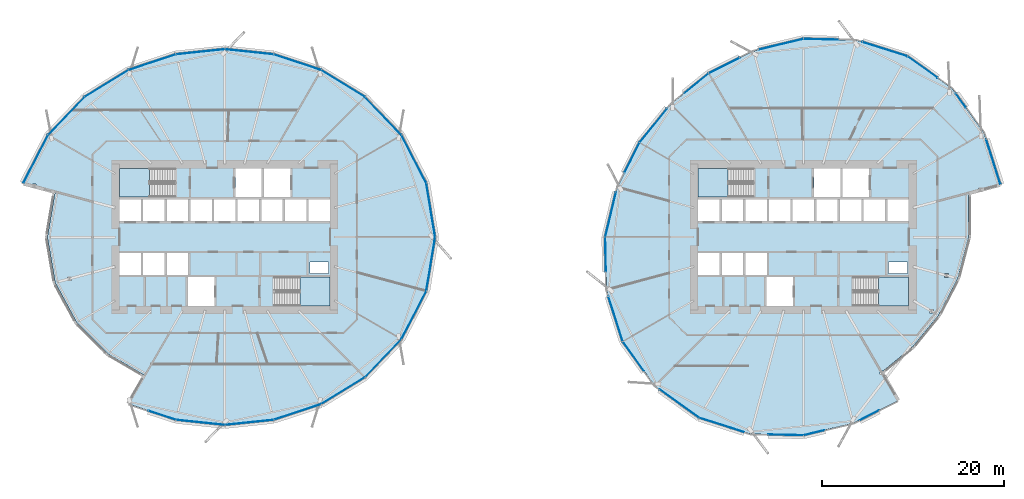
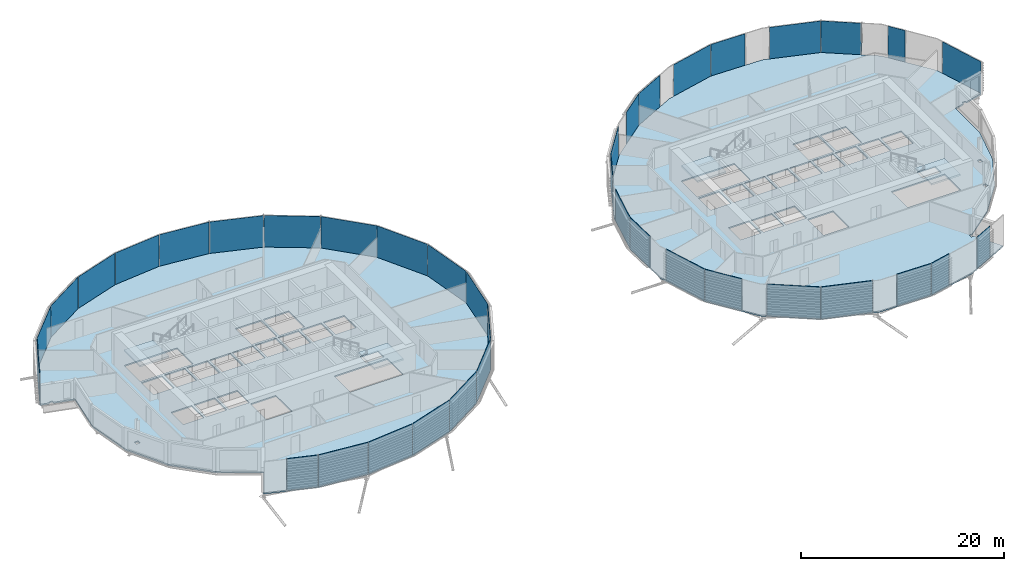
# One storey, part 20 of 37: 38 plates, 6 slabs, 6 elements without a shape of their own.
"""IFC4 building model written with IfcOpenShell, lengths in metres."""

from ifc_helpers import new_model, si_unit, direction, frame, origin, origin_2d, place, context, subcontext, project, spatial, polyline, rectangle, outline, extrude, material, layer, layer_set, type_object, element, aggregate, save


model = new_model("IFC4")

# Units and contexts
model_context = context("Model", 3, precision=1e-05, world=origin(), true_north=direction((0.0, 1.0)))
body_context = subcontext(model_context, "Body", "Model", "MODEL_VIEW")
ifc_project = project(units=[si_unit("LENGTHUNIT", "METRE"), si_unit("AREAUNIT", "SQUARE_METRE"), si_unit("VOLUMEUNIT", "CUBIC_METRE"), si_unit("PLANEANGLEUNIT", "RADIAN"), si_unit("MASSUNIT", "GRAM", prefix="KILO")], contexts=[model_context])

# Site, building, storey
site_placement = place(None, origin())
site = spatial("IfcSite", under=ifc_project, at=site_placement, CompositionType="ELEMENT")
building_placement = place(site_placement, origin())
building = spatial("IfcBuilding", under=site, at=building_placement, Name="Rimbun Link Towers", CompositionType="ELEMENT")
storey_placement = place(building_placement, frame((0.0, 0.0, 60.39990234375)))
storey = spatial("IfcBuildingStorey", under=building, at=storey_placement, Name="L14", CompositionType="ELEMENT", Elevation=60.39990234375)

# Slabs
ifc_material_1 = material(Name="Concrete C35/45", Category="concrete")
ifc_layer_1 = layer(ifc_material_1, 0.159912109375)
ifc_layer_set_1 = layer_set([ifc_layer_1], Name="COMPOSITE FLOOR 160")
slab_type_1 = type_object("IfcSlabType", Name="COMPOSITE FLOOR 160", PredefinedType="FLOOR", material=ifc_layer_set_1)
slab_1_placement = place(storey_placement, frame((0.0, 0.0, -0.159912109375)))
element("IfcSlab", 1, at=slab_1_placement, inside=storey, type_object=slab_type_1, Name="Floor slab T1 L14", PredefinedType="FLOOR", context=body_context, shape_type="SweptSolid", body=[
    extrude(outline(polyline([(-53.847412109375, 5.9208984375), (-51.12353515625, 11.185302734375), (-47.115478515625, 15.365478515625), (-42.321044921875, 18.3095703125), (-37.117919921875, 20.03369140625), (-31.75, 20.59912109375), (-26.382080078125, 20.03369140625), (-21.178955078125, 18.3095703125), (-16.384521484375, 15.365478515625), (-12.37646484375, 11.185302734375), (-9.652587890625, 5.9208984375), (-8.678955078125, 0.0), (-9.652587890625, -5.9208984375), (-12.37646484375, -11.185302734375), (-16.384521484375, -15.365478515625), (-21.178955078125, -18.3095703125), (-26.382080078125, -20.03369140625), (-31.75, -20.59912109375), (-37.117919921875, -20.03369140625), (-42.321044921875, -18.3095703125), (-40.52099609375, -15.19189453125), (-44.570068359375, -12.820068359375), (-48.005859375, -9.38525390625), (-50.3701171875, -4.9892578125), (-51.220947265625, 0.0), (-50.3701171875, 4.9892578125), (-52.47509765625, 5.55322265625), (-52.47509765625, 5.803466796875), (-52.8740234375, 5.803466796875), (-52.8740234375, 5.66015625), (-53.847412109375, 5.9208984375)]), holes=[polyline([(-32.89990234375, -7.550048828125), (-32.89990234375, -4.39990234375), (-35.800048828125, -4.39990234375), (-35.800048828125, -7.550048828125), (-32.89990234375, -7.550048828125)]), polyline([(-48.5986328125, -4.764892578125), (-48.5986328125, -4.37109375), (-48.997802734375, -4.37109375), (-48.997802734375, -4.764892578125), (-48.5986328125, -4.764892578125)]), polyline([(-40.95556640625, -4.14990234375), (-40.95556640625, -1.75), (-43.300048828125, -1.75), (-43.300048828125, -4.14990234375), (-40.95556640625, -4.14990234375)]), polyline([(-40.70556640625, -4.14990234375), (-38.361083984375, -4.14990234375), (-38.361083984375, -1.75), (-40.70556640625, -1.75), (-40.70556640625, -4.14990234375)]), polyline([(-38.111083984375, -4.14990234375), (-35.7666015625, -4.14990234375), (-35.7666015625, -1.75), (-38.111083984375, -1.75), (-38.111083984375, -4.14990234375)]), polyline([(-40.95556640625, 1.75), (-40.95556640625, 4.14990234375), (-43.300048828125, 4.14990234375), (-43.300048828125, 1.75), (-40.95556640625, 1.75)]), polyline([(-38.361083984375, 1.75), (-38.361083984375, 4.14990234375), (-40.70556640625, 4.14990234375), (-40.70556640625, 1.75), (-38.361083984375, 1.75)]), polyline([(-35.7666015625, 1.75), (-35.7666015625, 4.14990234375), (-38.111083984375, 4.14990234375), (-38.111083984375, 1.75), (-35.7666015625, 1.75)]), polyline([(-43.300048828125, 4.39990234375), (-37.260009765625, 4.39990234375), (-37.260009765625, 7.550048828125), (-43.300048828125, 7.550048828125), (-43.300048828125, 4.39990234375)]), polyline([(-20.199951171875, -7.550048828125), (-20.199951171875, -4.39990234375), (-26.239990234375, -4.39990234375), (-26.239990234375, -7.550048828125), (-20.199951171875, -7.550048828125)]), polyline([(-22.394287109375, -4.0), (-20.35009765625, -4.0), (-20.35009765625, -2.75), (-22.394287109375, -2.75), (-22.394287109375, -4.0)]), polyline([(-33.172119140625, 1.75), (-33.172119140625, 4.14990234375), (-35.5166015625, 4.14990234375), (-35.5166015625, 1.75), (-33.172119140625, 1.75)]), polyline([(-32.922119140625, 1.75), (-30.577880859375, 1.75), (-30.577880859375, 4.14990234375), (-32.922119140625, 4.14990234375), (-32.922119140625, 1.75)]), polyline([(-30.327880859375, 1.75), (-27.9833984375, 1.75), (-27.9833984375, 4.14990234375), (-30.327880859375, 4.14990234375), (-30.327880859375, 1.75)]), polyline([(-25.388916015625, 1.75), (-25.388916015625, 4.14990234375), (-27.7333984375, 4.14990234375), (-27.7333984375, 1.75), (-25.388916015625, 1.75)]), polyline([(-22.79443359375, 1.75), (-22.79443359375, 4.14990234375), (-25.138916015625, 4.14990234375), (-25.138916015625, 1.75), (-22.79443359375, 1.75)]), polyline([(-20.199951171875, 1.75), (-20.199951171875, 4.14990234375), (-22.54443359375, 4.14990234375), (-22.54443359375, 1.75), (-20.199951171875, 1.75)]), polyline([(-30.60009765625, 4.39990234375), (-27.699951171875, 4.39990234375), (-27.699951171875, 7.550048828125), (-30.60009765625, 7.550048828125), (-30.60009765625, 4.39990234375)]), polyline([(-27.449951171875, 4.39990234375), (-24.550048828125, 4.39990234375), (-24.550048828125, 7.550048828125), (-27.449951171875, 7.550048828125), (-27.449951171875, 4.39990234375)])]), origin(), (0.0, 0.0, 1.0), 0.159912109375),
])
slab_2_placement = place(storey_placement, frame((0.0, 0.0, -0.159912109375)))
element("IfcSlab", 2, at=slab_2_placement, inside=storey, type_object=slab_type_1, Name="Floor slab T2 L14", PredefinedType="FLOOR", context=body_context, shape_type="SweptSolid", body=[
    extrude(outline(polyline([(42.1201171875, -17.961669921875), (37.221923828125, -20.421630859375), (31.75, -21.730224609375), (25.960205078125, -21.6083984375), (20.3115234375, -19.81201171875), (15.436279296875, -16.313720703125), (11.93798828125, -11.4384765625), (10.1416015625, -5.789794921875), (10.019775390625, 0.0), (11.328369140625, 5.471923828125), (13.788330078125, 10.3701171875), (17.184326171875, 14.565673828125), (21.3798828125, 17.961669921875), (26.278076171875, 20.421630859375), (31.75, 21.730224609375), (37.539794921875, 21.6083984375), (43.1884765625, 19.81201171875), (48.063720703125, 16.313720703125), (51.56201171875, 11.4384765625), (53.3583984375, 5.789794921875), (51.367919921875, 5.256591796875), (51.367919921875, 5.39990234375), (50.96875, 5.39990234375), (50.96875, 5.149658203125), (49.880859375, 4.858154296875), (49.88037109375, 0.0), (48.6943359375, -4.540283203125), (46.593994140625, -8.5703125), (43.770263671875, -12.020263671875), (40.493408203125, -14.702392578125), (40.152587890625, -14.702392578125), (40.152587890625, -15.095947265625), (40.4658203125, -15.095947265625), (42.1201171875, -17.961669921875)]), holes=[polyline([(30.60009765625, -7.550048828125), (30.60009765625, -4.39990234375), (27.699951171875, -4.39990234375), (27.699951171875, -7.550048828125), (30.60009765625, -7.550048828125)]), polyline([(22.54443359375, -4.14990234375), (22.54443359375, -1.75), (20.199951171875, -1.75), (20.199951171875, -4.14990234375), (22.54443359375, -4.14990234375)]), polyline([(25.138916015625, -4.14990234375), (25.138916015625, -1.75), (22.79443359375, -1.75), (22.79443359375, -4.14990234375), (25.138916015625, -4.14990234375)]), polyline([(25.388916015625, -4.14990234375), (27.7333984375, -4.14990234375), (27.7333984375, -1.75), (25.388916015625, -1.75), (25.388916015625, -4.14990234375)]), polyline([(20.199951171875, 1.75), (22.54443359375, 1.75), (22.54443359375, 4.14990234375), (20.199951171875, 4.14990234375), (20.199951171875, 1.75)]), polyline([(25.138916015625, 1.75), (25.138916015625, 4.14990234375), (22.79443359375, 4.14990234375), (22.79443359375, 1.75), (25.138916015625, 1.75)]), polyline([(25.388916015625, 1.75), (27.7333984375, 1.75), (27.7333984375, 4.14990234375), (25.388916015625, 4.14990234375), (25.388916015625, 1.75)]), polyline([(27.9833984375, 1.75), (30.327880859375, 1.75), (30.327880859375, 4.14990234375), (27.9833984375, 4.14990234375), (27.9833984375, 1.75)]), polyline([(32.922119140625, 1.75), (32.922119140625, 4.14990234375), (30.577880859375, 4.14990234375), (30.577880859375, 1.75), (32.922119140625, 1.75)]), polyline([(33.172119140625, 1.75), (35.5166015625, 1.75), (35.5166015625, 4.14990234375), (33.172119140625, 4.14990234375), (33.172119140625, 1.75)]), polyline([(20.199951171875, 4.39990234375), (26.239990234375, 4.39990234375), (26.239990234375, 7.550048828125), (20.199951171875, 7.550048828125), (20.199951171875, 4.39990234375)]), polyline([(46.002685546875, -8.310302734375), (46.002685546875, -7.916748046875), (45.603515625, -7.916748046875), (45.603515625, -8.310302734375), (46.002685546875, -8.310302734375)]), polyline([(43.300048828125, -7.550048828125), (43.300048828125, -4.39990234375), (37.260009765625, -4.39990234375), (37.260009765625, -7.550048828125), (43.300048828125, -7.550048828125)]), polyline([(47.249267578125, -4.4033203125), (47.648193359375, -4.4033203125), (47.648193359375, -4.009765625), (47.249267578125, -4.009765625), (47.249267578125, -4.4033203125)]), polyline([(41.105712890625, -2.75), (41.105712890625, -4.0), (43.14990234375, -4.0), (43.14990234375, -2.75), (41.105712890625, -2.75)]), polyline([(38.111083984375, 1.75), (38.111083984375, 4.14990234375), (35.7666015625, 4.14990234375), (35.7666015625, 1.75), (38.111083984375, 1.75)]), polyline([(38.361083984375, 1.75), (40.70556640625, 1.75), (40.70556640625, 4.14990234375), (38.361083984375, 4.14990234375), (38.361083984375, 1.75)]), polyline([(40.95556640625, 1.75), (43.300048828125, 1.75), (43.300048828125, 4.14990234375), (40.95556640625, 4.14990234375), (40.95556640625, 1.75)]), polyline([(32.89990234375, 4.39990234375), (35.800048828125, 4.39990234375), (35.800048828125, 7.550048828125), (32.89990234375, 7.550048828125), (32.89990234375, 4.39990234375)]), polyline([(36.050048828125, 4.39990234375), (38.949951171875, 4.39990234375), (38.949951171875, 7.550048828125), (36.050048828125, 7.550048828125), (36.050048828125, 4.39990234375)])]), origin(), (0.0, 0.0, 1.0), 0.159912109375),
])

# Curtain wall, plates
ifc_material_2 = material(Name="Aluminium 6063-T6 and low-iron glass", Category="aluminium")
curtain_wall_type = type_object("IfcCurtainWallType", Name="CW1 unitised vision wall", PredefinedType="NOTDEFINED", material=ifc_material_2)
curtain_wall_1_placement = place(storey_placement, origin())
curtain_wall_1 = element("IfcCurtainWall", 3, at=curtain_wall_1_placement, inside=storey, type_object=curtain_wall_type, Name="CW1 L14 T2", PredefinedType="NOTDEFINED")
ifc_material_3 = material(Name="Aluminium cladding, insulated panel", Category="aluminium")
ifc_layer_2 = layer(ifc_material_3, 0.028076171875)
ifc_layer_set_2 = layer_set([ifc_layer_2], Name="CW1 insulated panel Aluminium cladding 28")
plate_type_1 = type_object("IfcPlateType", Name="CW1 insulated panel Aluminium cladding 28", PredefinedType="CURTAIN_PANEL", material=ifc_layer_set_2)
plate_1_placement = place(storey_placement, frame((32.93310546875, -21.461669921875, 0.0), z_axis=(0.0, 0.0, 1.0), x_axis=(-0.972571724543, -0.232603182737, 0.0)))
plate_1 = element("IfcPlate", 4, at=plate_1_placement, type_object=plate_type_1, Name="CW1 insulated panel", PredefinedType="CURTAIN_PANEL", context=body_context, shape_type="SweptSolid", body=[
    extrude(rectangle(XDim=2.38623046875, YDim=0.028076171875, at=origin_2d()), origin(), (0.0, 0.0, 1.0), 3.800048828125),
])
plate_2_placement = place(storey_placement, frame((38.96240234375, -19.563232421875, 0.0), z_axis=(0.0, 0.0, 1.0), x_axis=(-0.893637652343, -0.448789200311, 0.0)))
plate_2 = element("IfcPlate", 5, at=plate_2_placement, type_object=plate_type_1, Name="CW1 insulated panel", PredefinedType="CURTAIN_PANEL", context=body_context, shape_type="SweptSolid", body=[
    extrude(rectangle(XDim=2.34130859375, YDim=0.028076171875, at=origin_2d()), origin(), (0.0, 0.0, 1.0), 3.800048828125),
])

curtain_wall_2_placement = place(storey_placement, origin())
curtain_wall_2 = element("IfcCurtainWall", 6, at=curtain_wall_2_placement, inside=storey, type_object=curtain_wall_type, Name="CW1 L14 T1", PredefinedType="NOTDEFINED")
ifc_material_4 = material(Name="Low-iron glass, laminated low-e unit", Category="glass")
ifc_layer_3 = layer(ifc_material_4, 0.028076171875)
ifc_layer_set_3 = layer_set([ifc_layer_3], Name="CW1 panel Low-iron glass 28")
plate_type_2 = type_object("IfcPlateType", Name="CW1 panel Low-iron glass 28", PredefinedType="CURTAIN_PANEL", material=ifc_layer_set_3)
plate_3_placement = place(storey_placement, frame((-9.152099609375, 2.962890625, 0.0), z_axis=(0.0, 0.0, 1.0), x_axis=(0.162269061749, -0.986746548815, 0.0)))
plate_3 = element("IfcPlate", 7, at=plate_3_placement, type_object=plate_type_2, Name="CW1 panel", PredefinedType="CURTAIN_PANEL", context=body_context, shape_type="SweptSolid", body=[
    extrude(rectangle(XDim=5.96044921875, YDim=0.028076171875, at=origin_2d()), origin(), (0.0, 0.0, 1.0), 3.800048828125),
])
plate_4_placement = place(storey_placement, frame((-11.002197265625, 8.5595703125, 0.0), z_axis=(0.0, 0.0, 1.0), x_axis=(0.459540871589, -0.888156623203, 0.0)))
plate_4 = element("IfcPlate", 8, at=plate_4_placement, type_object=plate_type_2, Name="CW1 panel", PredefinedType="CURTAIN_PANEL", context=body_context, shape_type="SweptSolid", body=[
    extrude(rectangle(XDim=5.88720703125, YDim=0.028076171875, at=origin_2d()), origin(), (0.0, 0.0, 1.0), 3.800048828125),
])
plate_5_placement = place(storey_placement, frame((-14.370361328125, 13.28515625, 0.0), z_axis=(0.0, 0.0, 1.0), x_axis=(0.692065488922, -0.721834717261, 0.0)))
plate_5 = element("IfcPlate", 9, at=plate_5_placement, type_object=plate_type_2, Name="CW1 panel", PredefinedType="CURTAIN_PANEL", context=body_context, shape_type="SweptSolid", body=[
    extrude(rectangle(XDim=5.751220703125, YDim=0.028076171875, at=origin_2d()), origin(), (0.0, 0.0, 1.0), 3.800048828125),
])
plate_6_placement = place(storey_placement, frame((-18.7744140625, 16.849365234375, 0.0), z_axis=(0.0, 0.0, 1.0), x_axis=(0.852183322336, -0.523243332621, 0.0)))
plate_6 = element("IfcPlate", 10, at=plate_6_placement, type_object=plate_type_2, Name="CW1 panel", PredefinedType="CURTAIN_PANEL", context=body_context, shape_type="SweptSolid", body=[
    extrude(rectangle(XDim=5.586181640625, YDim=0.028076171875, at=origin_2d()), origin(), (0.0, 0.0, 1.0), 3.800048828125),
])
plate_7_placement = place(storey_placement, frame((-23.776123046875, 19.184814453125, 0.0), z_axis=(0.0, 0.0, 1.0), x_axis=(0.949236457235, -0.314563424855, 0.0)))
plate_7 = element("IfcPlate", 11, at=plate_7_placement, type_object=plate_type_2, Name="CW1 panel", PredefinedType="CURTAIN_PANEL", context=body_context, shape_type="SweptSolid", body=[
    extrude(rectangle(XDim=5.441162109375, YDim=0.028076171875, at=origin_2d()), origin(), (0.0, 0.0, 1.0), 3.800048828125),
])
plate_8_placement = place(storey_placement, frame((-29.064453125, 20.330322265625, 0.0), z_axis=(0.0, 0.0, 1.0), x_axis=(0.994498750915, -0.104748434017, 0.0)))
plate_8 = element("IfcPlate", 12, at=plate_8_placement, type_object=plate_type_2, Name="CW1 panel", PredefinedType="CURTAIN_PANEL", context=body_context, shape_type="SweptSolid", body=[
    extrude(rectangle(XDim=5.357666015625, YDim=0.028076171875, at=origin_2d()), origin(), (0.0, 0.0, 1.0), 3.800048828125),
])
plate_9_placement = place(storey_placement, frame((-34.435546875, 20.330322265625, 0.0), z_axis=(0.0, 0.0, 1.0), x_axis=(0.994498750915, 0.104748434017, 0.0)))
plate_9 = element("IfcPlate", 13, at=plate_9_placement, type_object=plate_type_2, Name="CW1 panel", PredefinedType="CURTAIN_PANEL", context=body_context, shape_type="SweptSolid", body=[
    extrude(rectangle(XDim=5.357666015625, YDim=0.028076171875, at=origin_2d()), origin(), (0.0, 0.0, 1.0), 3.800048828125),
])
plate_10_placement = place(storey_placement, frame((-39.723876953125, 19.184814453125, 0.0), z_axis=(0.0, 0.0, 1.0), x_axis=(0.949236457235, 0.314563424855, 0.0)))
plate_10 = element("IfcPlate", 14, at=plate_10_placement, type_object=plate_type_2, Name="CW1 panel", PredefinedType="CURTAIN_PANEL", context=body_context, shape_type="SweptSolid", body=[
    extrude(rectangle(XDim=5.441162109375, YDim=0.028076171875, at=origin_2d()), origin(), (0.0, 0.0, 1.0), 3.800048828125),
])
plate_11_placement = place(storey_placement, frame((-44.7255859375, 16.849365234375, 0.0), z_axis=(0.0, 0.0, 1.0), x_axis=(0.852183322336, 0.523243332621, 0.0)))
plate_11 = element("IfcPlate", 15, at=plate_11_placement, type_object=plate_type_2, Name="CW1 panel", PredefinedType="CURTAIN_PANEL", context=body_context, shape_type="SweptSolid", body=[
    extrude(rectangle(XDim=5.586181640625, YDim=0.028076171875, at=origin_2d()), origin(), (0.0, 0.0, 1.0), 3.800048828125),
])
plate_12_placement = place(storey_placement, frame((-49.129638671875, 13.28515625, 0.0), z_axis=(0.0, 0.0, 1.0), x_axis=(0.692065488922, 0.721834717261, 0.0)))
plate_12 = element("IfcPlate", 16, at=plate_12_placement, type_object=plate_type_2, Name="CW1 panel", PredefinedType="CURTAIN_PANEL", context=body_context, shape_type="SweptSolid", body=[
    extrude(rectangle(XDim=5.751220703125, YDim=0.028076171875, at=origin_2d()), origin(), (0.0, 0.0, 1.0), 3.800048828125),
])
plate_13_placement = place(storey_placement, frame((-52.497802734375, 8.5595703125, 0.0), z_axis=(0.0, 0.0, 1.0), x_axis=(0.459540871589, 0.888156623203, 0.0)))
plate_13 = element("IfcPlate", 17, at=plate_13_placement, type_object=plate_type_2, Name="CW1 panel", PredefinedType="CURTAIN_PANEL", context=body_context, shape_type="SweptSolid", body=[
    extrude(rectangle(XDim=5.88720703125, YDim=0.028076171875, at=origin_2d()), origin(), (0.0, 0.0, 1.0), 3.800048828125),
])
plate_14_placement = place(storey_placement, frame((-38.63232421875, -19.546630859375, 0.0), z_axis=(0.0, 0.0, 1.0), x_axis=(-0.949236457235, 0.314563424855, 0.0)))
plate_14 = element("IfcPlate", 18, at=plate_14_placement, type_object=plate_type_2, Name="CW1 panel", PredefinedType="CURTAIN_PANEL", context=body_context, shape_type="SweptSolid", body=[
    extrude(rectangle(XDim=3.141357421875, YDim=0.028076171875, at=origin_2d()), origin(), (0.0, 0.0, 1.0), 3.800048828125),
])
plate_15_placement = place(storey_placement, frame((-34.435546875, -20.330322265625, 0.0), z_axis=(0.0, 0.0, 1.0), x_axis=(-0.994498750915, 0.104748434017, 0.0)))
plate_15 = element("IfcPlate", 19, at=plate_15_placement, type_object=plate_type_2, Name="CW1 panel", PredefinedType="CURTAIN_PANEL", context=body_context, shape_type="SweptSolid", body=[
    extrude(rectangle(XDim=5.357666015625, YDim=0.028076171875, at=origin_2d()), origin(), (0.0, 0.0, 1.0), 3.800048828125),
])
plate_16_placement = place(storey_placement, frame((-29.064453125, -20.330322265625, 0.0), z_axis=(0.0, 0.0, 1.0), x_axis=(-0.994498750915, -0.104748434017, 0.0)))
plate_16 = element("IfcPlate", 20, at=plate_16_placement, type_object=plate_type_2, Name="CW1 panel", PredefinedType="CURTAIN_PANEL", context=body_context, shape_type="SweptSolid", body=[
    extrude(rectangle(XDim=5.357666015625, YDim=0.028076171875, at=origin_2d()), origin(), (0.0, 0.0, 1.0), 3.800048828125),
])
plate_17_placement = place(storey_placement, frame((-23.776123046875, -19.184814453125, 0.0), z_axis=(0.0, 0.0, 1.0), x_axis=(-0.949236457235, -0.314563424855, 0.0)))
plate_17 = element("IfcPlate", 21, at=plate_17_placement, type_object=plate_type_2, Name="CW1 panel", PredefinedType="CURTAIN_PANEL", context=body_context, shape_type="SweptSolid", body=[
    extrude(rectangle(XDim=5.441162109375, YDim=0.028076171875, at=origin_2d()), origin(), (0.0, 0.0, 1.0), 3.800048828125),
])
plate_18_placement = place(storey_placement, frame((-18.7744140625, -16.849365234375, 0.0), z_axis=(0.0, 0.0, 1.0), x_axis=(-0.852183322336, -0.523243332621, 0.0)))
plate_18 = element("IfcPlate", 22, at=plate_18_placement, type_object=plate_type_2, Name="CW1 panel", PredefinedType="CURTAIN_PANEL", context=body_context, shape_type="SweptSolid", body=[
    extrude(rectangle(XDim=5.586181640625, YDim=0.028076171875, at=origin_2d()), origin(), (0.0, 0.0, 1.0), 3.800048828125),
])
plate_19_placement = place(storey_placement, frame((-14.370361328125, -13.28515625, 0.0), z_axis=(0.0, 0.0, 1.0), x_axis=(-0.692065488922, -0.721834717261, 0.0)))
plate_19 = element("IfcPlate", 23, at=plate_19_placement, type_object=plate_type_2, Name="CW1 panel", PredefinedType="CURTAIN_PANEL", context=body_context, shape_type="SweptSolid", body=[
    extrude(rectangle(XDim=5.751220703125, YDim=0.028076171875, at=origin_2d()), origin(), (0.0, 0.0, 1.0), 3.800048828125),
])
plate_20_placement = place(storey_placement, frame((-11.002197265625, -8.5595703125, 0.0), z_axis=(0.0, 0.0, 1.0), x_axis=(-0.459540871589, -0.888156623203, 0.0)))
plate_20 = element("IfcPlate", 24, at=plate_20_placement, type_object=plate_type_2, Name="CW1 panel", PredefinedType="CURTAIN_PANEL", context=body_context, shape_type="SweptSolid", body=[
    extrude(rectangle(XDim=5.88720703125, YDim=0.028076171875, at=origin_2d()), origin(), (0.0, 0.0, 1.0), 3.800048828125),
])
plate_21_placement = place(storey_placement, frame((-9.152099609375, -2.962890625, 0.0), z_axis=(0.0, 0.0, 1.0), x_axis=(-0.162269061749, -0.986746548815, 0.0)))
plate_21 = element("IfcPlate", 25, at=plate_21_placement, type_object=plate_type_2, Name="CW1 panel", PredefinedType="CURTAIN_PANEL", context=body_context, shape_type="SweptSolid", body=[
    extrude(rectangle(XDim=5.96044921875, YDim=0.028076171875, at=origin_2d()), origin(), (0.0, 0.0, 1.0), 3.800048828125),
])
aggregate(curtain_wall_2, [plate_3, plate_4, plate_5, plate_6, plate_7, plate_8, plate_9, plate_10, plate_11, plate_12, plate_13, plate_14, plate_15, plate_16, plate_17, plate_18, plate_19, plate_20, plate_21])

# Plate
plate_22_placement = place(storey_placement, frame((44.842041015625, 18.642578125, 0.0), z_axis=(0.0, 0.0, 1.0), x_axis=(0.812469264421, -0.583004026034, 0.0)))
plate_22 = element("IfcPlate", 26, at=plate_22_placement, type_object=plate_type_2, Name="CW1 panel", PredefinedType="CURTAIN_PANEL", context=body_context, shape_type="SweptSolid", body=[
    extrude(rectangle(XDim=4.010498046875, YDim=0.028076171875, at=origin_2d()), origin(), (0.0, 0.0, 1.0), 3.800048828125),
])

plate_23_placement = place(storey_placement, frame((40.701904296875, 20.617431640625, 0.0), z_axis=(0.0, 0.0, 1.0), x_axis=(0.952967205153, -0.303073433186, 0.0)))
plate_23 = element("IfcPlate", 27, at=plate_23_placement, type_object=plate_type_2, Name="CW1 panel", PredefinedType="CURTAIN_PANEL", context=body_context, shape_type="SweptSolid", body=[
    extrude(rectangle(XDim=5.187255859375, YDim=0.028076171875, at=origin_2d()), origin(), (0.0, 0.0, 1.0), 3.800048828125),
])

plate_24_placement = place(storey_placement, frame((33.695556640625, 21.703369140625, 0.0), z_axis=(0.0, 0.0, 1.0), x_axis=(0.999778076675, -0.02106649948, 0.0)))
plate_24 = element("IfcPlate", 28, at=plate_24_placement, type_object=plate_type_2, Name="CW1 panel", PredefinedType="CURTAIN_PANEL", context=body_context, shape_type="SweptSolid", body=[
    extrude(rectangle(XDim=3.85107421875, YDim=0.028076171875, at=origin_2d()), origin(), (0.0, 0.0, 1.0), 3.800048828125),
])

plate_25_placement = place(storey_placement, frame((29.2783203125, 21.153564453125, 0.0), z_axis=(0.0, 0.0, 1.0), x_axis=(0.972571724543, 0.232603182737, 0.0)))
plate_25 = element("IfcPlate", 29, at=plate_25_placement, type_object=plate_type_2, Name="CW1 panel", PredefinedType="CURTAIN_PANEL", context=body_context, shape_type="SweptSolid", body=[
    extrude(rectangle(XDim=5.036376953125, YDim=0.028076171875, at=origin_2d()), origin(), (0.0, 0.0, 1.0), 3.800048828125),
])

plate_26_placement = place(storey_placement, frame((23.06298828125, 18.82275390625, 0.0), z_axis=(0.0, 0.0, 1.0), x_axis=(0.893637652343, 0.448789200311, 0.0)))
plate_26 = element("IfcPlate", 30, at=plate_26_placement, type_object=plate_type_2, Name="CW1 panel", PredefinedType="CURTAIN_PANEL", context=body_context, shape_type="SweptSolid", body=[
    extrude(rectangle(XDim=3.7412109375, YDim=0.028076171875, at=origin_2d()), origin(), (0.0, 0.0, 1.0), 3.800048828125),
])

plate_27_placement = place(storey_placement, frame((20.01171875, 16.872314453125, 0.0), z_axis=(0.0, 0.0, 1.0), x_axis=(0.777277227517, 0.62915825639, 0.0)))
plate_27 = element("IfcPlate", 31, at=plate_27_placement, type_object=plate_type_2, Name="CW1 panel", PredefinedType="CURTAIN_PANEL", context=body_context, shape_type="SweptSolid", body=[
    extrude(rectangle(XDim=3.457763671875, YDim=0.028076171875, at=origin_2d()), origin(), (0.0, 0.0, 1.0), 3.800048828125),
])

plate_28_placement = place(storey_placement, frame((15.28662109375, 12.24365234375, 0.0), z_axis=(0.0, 0.0, 1.0), x_axis=(0.62915825639, 0.777277227517, 0.0)))
plate_28 = element("IfcPlate", 32, at=plate_28_placement, type_object=plate_type_2, Name="CW1 panel", PredefinedType="CURTAIN_PANEL", context=body_context, shape_type="SweptSolid", body=[
    extrude(rectangle(XDim=4.757568359375, YDim=0.028076171875, at=origin_2d()), origin(), (0.0, 0.0, 1.0), 3.800048828125),
])

plate_29_placement = place(storey_placement, frame((12.9384765625, 8.709228515625, 0.0), z_axis=(0.0, 0.0, 1.0), x_axis=(0.448789200311, 0.893637652343, 0.0)))
plate_29 = element("IfcPlate", 33, at=plate_29_placement, type_object=plate_type_2, Name="CW1 panel", PredefinedType="CURTAIN_PANEL", context=body_context, shape_type="SweptSolid", body=[
    extrude(rectangle(XDim=3.691162109375, YDim=0.028076171875, at=origin_2d()), origin(), (0.0, 0.0, 1.0), 3.800048828125),
])

plate_30_placement = place(storey_placement, frame((10.596435546875, 2.4716796875, 0.0), z_axis=(0.0, 0.0, 1.0), x_axis=(0.232603182737, 0.972571724543, 0.0)))
plate_30 = element("IfcPlate", 34, at=plate_30_placement, type_object=plate_type_2, Name="CW1 panel", PredefinedType="CURTAIN_PANEL", context=body_context, shape_type="SweptSolid", body=[
    extrude(rectangle(XDim=5.036376953125, YDim=0.028076171875, at=origin_2d()), origin(), (0.0, 0.0, 1.0), 3.800048828125),
])

plate_31_placement = place(storey_placement, frame((10.046142578125, -1.92041015625, 0.0), z_axis=(0.0, 0.0, 1.0), x_axis=(-0.02106649948, 0.999778076675, 0.0)))
plate_31 = element("IfcPlate", 35, at=plate_31_placement, type_object=plate_type_2, Name="CW1 panel", PredefinedType="CURTAIN_PANEL", context=body_context, shape_type="SweptSolid", body=[
    extrude(rectangle(XDim=3.80126953125, YDim=0.028076171875, at=origin_2d()), origin(), (0.0, 0.0, 1.0), 3.800048828125),
])

plate_32_placement = place(storey_placement, frame((11.14013671875, -8.975830078125, 0.0), z_axis=(0.0, 0.0, 1.0), x_axis=(-0.303073433186, 0.952967205153, 0.0)))
plate_32 = element("IfcPlate", 36, at=plate_32_placement, type_object=plate_type_2, Name="CW1 panel", PredefinedType="CURTAIN_PANEL", context=body_context, shape_type="SweptSolid", body=[
    extrude(rectangle(XDim=5.13720703125, YDim=0.028076171875, at=origin_2d()), origin(), (0.0, 0.0, 1.0), 3.800048828125),
])

plate_33_placement = place(storey_placement, frame((13.107421875, -13.092041015625, 0.0), z_axis=(0.0, 0.0, 1.0), x_axis=(-0.583004026034, 0.812469264421, 0.0)))
plate_33 = element("IfcPlate", 37, at=plate_33_placement, type_object=plate_type_2, Name="CW1 panel", PredefinedType="CURTAIN_PANEL", context=body_context, shape_type="SweptSolid", body=[
    extrude(rectangle(XDim=4.010498046875, YDim=0.028076171875, at=origin_2d()), origin(), (0.0, 0.0, 1.0), 3.800048828125),
])

plate_34_placement = place(storey_placement, frame((18.1298828125, -18.263671875, 0.0), z_axis=(0.0, 0.0, 1.0), x_axis=(-0.812469264421, 0.583004026034, 0.0)))
plate_34 = element("IfcPlate", 38, at=plate_34_placement, type_object=plate_type_2, Name="CW1 panel", PredefinedType="CURTAIN_PANEL", context=body_context, shape_type="SweptSolid", body=[
    extrude(rectangle(XDim=5.310546875, YDim=0.028076171875, at=origin_2d()), origin(), (0.0, 0.0, 1.0), 3.800048828125),
])

plate_35_placement = place(storey_placement, frame((22.798095703125, -20.617431640625, 0.0), z_axis=(0.0, 0.0, 1.0), x_axis=(-0.952967205153, 0.303073433186, 0.0)))
plate_35 = element("IfcPlate", 39, at=plate_35_placement, type_object=plate_type_2, Name="CW1 panel", PredefinedType="CURTAIN_PANEL", context=body_context, shape_type="SweptSolid", body=[
    extrude(rectangle(XDim=5.187255859375, YDim=0.028076171875, at=origin_2d()), origin(), (0.0, 0.0, 1.0), 3.800048828125),
])

plate_36_placement = place(storey_placement, frame((29.804443359375, -21.703369140625, 0.0), z_axis=(0.0, 0.0, 1.0), x_axis=(-0.999778076675, 0.02106649948, 0.0)))
plate_36 = element("IfcPlate", 40, at=plate_36_placement, type_object=plate_type_2, Name="CW1 panel", PredefinedType="CURTAIN_PANEL", context=body_context, shape_type="SweptSolid", body=[
    extrude(rectangle(XDim=3.85107421875, YDim=0.028076171875, at=origin_2d()), origin(), (0.0, 0.0, 1.0), 3.800048828125),
])

plate_37_placement = place(storey_placement, frame((52.587158203125, 8.260986328125, 0.0), z_axis=(0.0, 0.0, 1.0), x_axis=(0.303073433186, -0.952967205153, 0.0)))
plate_37 = element("IfcPlate", 41, at=plate_37_placement, type_object=plate_type_2, Name="CW1 panel", PredefinedType="CURTAIN_PANEL", context=body_context, shape_type="SweptSolid", body=[
    extrude(rectangle(XDim=5.13720703125, YDim=0.028076171875, at=origin_2d()), origin(), (0.0, 0.0, 1.0), 3.800048828125),
])

plate_38_placement = place(storey_placement, frame((49.037109375, 14.98095703125, 0.0), z_axis=(0.0, 0.0, 1.0), x_axis=(0.583004026034, -0.812469264421, 0.0)))
plate_38 = element("IfcPlate", 42, at=plate_38_placement, type_object=plate_type_2, Name="CW1 panel", PredefinedType="CURTAIN_PANEL", context=body_context, shape_type="SweptSolid", body=[
    extrude(rectangle(XDim=1.8603515625, YDim=0.028076171875, at=origin_2d()), origin(), (0.0, 0.0, 1.0), 3.800048828125),
])

aggregate(curtain_wall_1, [plate_22, plate_23, plate_24, plate_25, plate_26, plate_27, plate_28, plate_29, plate_30, plate_31, plate_32, plate_33, plate_34, plate_35, plate_36, plate_1, plate_2, plate_37, plate_38])

# Stair, slab
ifc_material_5 = material(Name="Concrete C40/50", Category="concrete")
stair_type = type_object("IfcStairType", Name="Exit stair 3800 rise", PredefinedType="HALF_TURN_STAIR", material=ifc_material_5)
stair_1_placement = place(storey_placement, origin())
stair_1 = element("IfcStair", 43, at=stair_1_placement, inside=storey, type_object=stair_type, Name="L14 EXIT STAIR A", PredefinedType="HALF_TURN_STAIR")
ifc_material_6 = material(Name="Concrete C40/50", Category="concrete")
ifc_layer_4 = layer(ifc_material_6, 0.199951171875)
ifc_layer_set_4 = layer_set([ifc_layer_4], Name="Stair landing")
slab_type_2 = type_object("IfcSlabType", Name="Stair landing", PredefinedType="LANDING", material=ifc_layer_set_4)
slab_3_placement = place(storey_placement, frame((0.0, 0.0, 1.7001953125)))
slab_3 = element("IfcSlab", 44, at=slab_3_placement, type_object=slab_type_2, Name="ST1 landing 1", PredefinedType="LANDING", context=body_context, shape_type="SweptSolid", body=[
    extrude(outline(polyline([(-40.0, 7.550048828125), (-43.300048828125, 7.550048828125), (-43.300048828125, 4.39990234375), (-40.0, 4.39990234375), (-40.0, 7.550048828125)])), origin(), (0.0, 0.0, 1.0), 0.199951171875),
])
aggregate(stair_1, [slab_3])

stair_2_placement = place(storey_placement, origin())
stair_2 = element("IfcStair", 45, at=stair_2_placement, inside=storey, type_object=stair_type, Name="L14 EXIT STAIR B", PredefinedType="HALF_TURN_STAIR")
slab_4_placement = place(storey_placement, frame((0.0, 0.0, 1.7001953125)))
slab_4 = element("IfcSlab", 46, at=slab_4_placement, type_object=slab_type_2, Name="ST2 landing 1", PredefinedType="LANDING", context=body_context, shape_type="SweptSolid", body=[
    extrude(outline(polyline([(-23.5, -7.550048828125), (-20.199951171875, -7.550048828125), (-20.199951171875, -4.39990234375), (-23.5, -4.39990234375), (-23.5, -7.550048828125)])), origin(), (0.0, 0.0, 1.0), 0.199951171875),
])
aggregate(stair_2, [slab_4])

stair_3_placement = place(storey_placement, origin())
stair_3 = element("IfcStair", 47, at=stair_3_placement, inside=storey, type_object=stair_type, Name="L14 EXIT STAIR A", PredefinedType="HALF_TURN_STAIR")
slab_5_placement = place(storey_placement, frame((0.0, 0.0, 1.7001953125)))
slab_5 = element("IfcSlab", 48, at=slab_5_placement, type_object=slab_type_2, Name="ST3 landing 1", PredefinedType="LANDING", context=body_context, shape_type="SweptSolid", body=[
    extrude(outline(polyline([(23.5, 7.550048828125), (20.199951171875, 7.550048828125), (20.199951171875, 4.39990234375), (23.5, 4.39990234375), (23.5, 7.550048828125)])), origin(), (0.0, 0.0, 1.0), 0.199951171875),
])
aggregate(stair_3, [slab_5])

stair_4_placement = place(storey_placement, origin())
stair_4 = element("IfcStair", 49, at=stair_4_placement, inside=storey, type_object=stair_type, Name="L14 EXIT STAIR B", PredefinedType="HALF_TURN_STAIR")
slab_6_placement = place(storey_placement, frame((0.0, 0.0, 1.7001953125)))
slab_6 = element("IfcSlab", 50, at=slab_6_placement, type_object=slab_type_2, Name="ST4 landing 1", PredefinedType="LANDING", context=body_context, shape_type="SweptSolid", body=[
    extrude(outline(polyline([(40.0, -7.550048828125), (43.300048828125, -7.550048828125), (43.300048828125, -4.39990234375), (40.0, -4.39990234375), (40.0, -7.550048828125)])), origin(), (0.0, 0.0, 1.0), 0.199951171875),
])
aggregate(stair_4, [slab_6])

save(model, "model.ifc")
